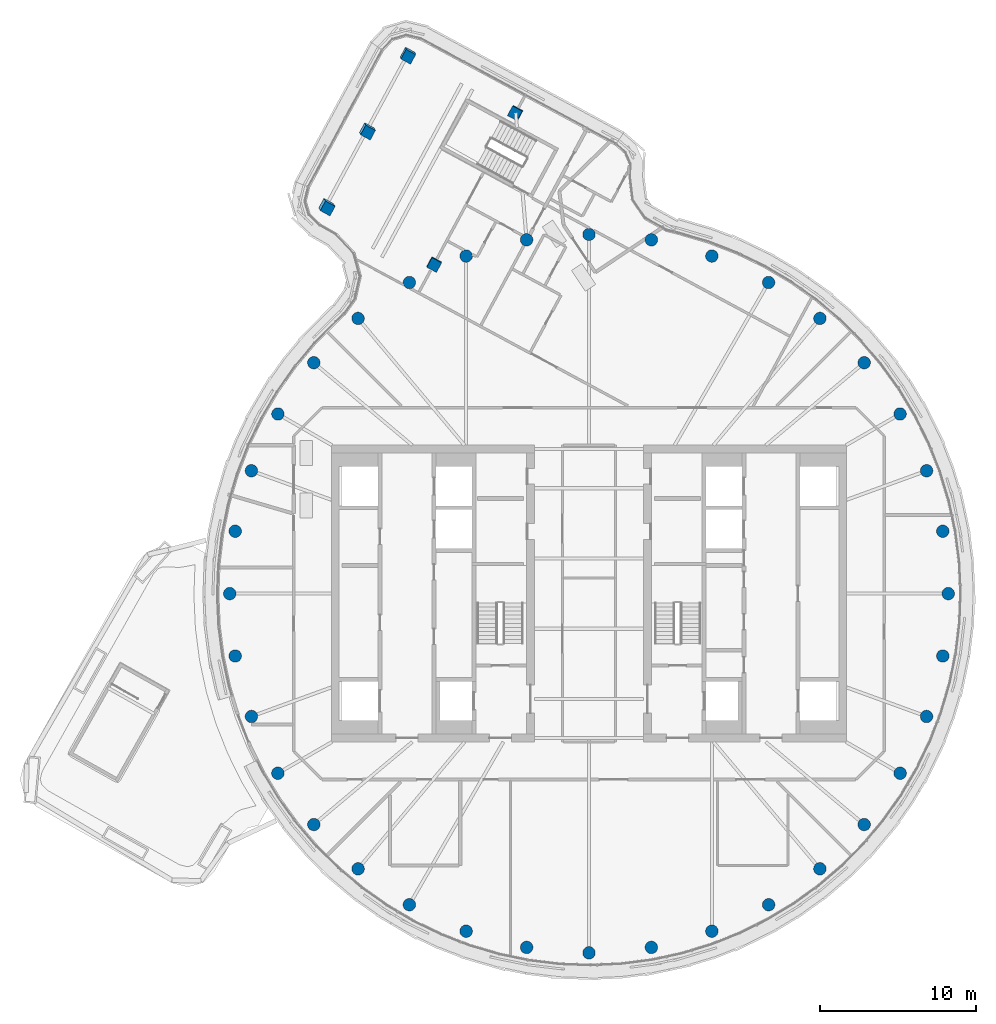
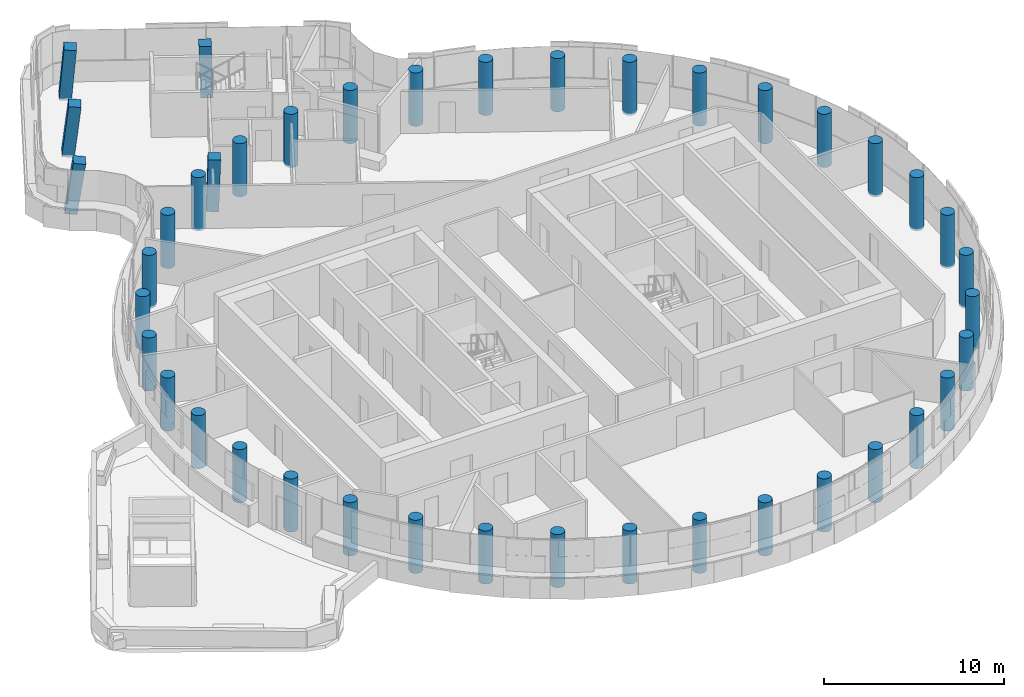
# One storey, part 1 of 22: 41 columns.
"""IFC4 building model written with IfcOpenShell, lengths in metres."""

from ifc_helpers import new_model, si_unit, direction, frame, origin, origin_2d, place, context, subcontext, project, spatial, rectangle, circle, extrude, material, material_profile, profile_set, type_object, element, save


model = new_model("IFC4")

# Units and contexts
model_context = context("Model", 3, precision=1e-05, world=origin(), true_north=direction((0.0, 1.0)))
body_context = subcontext(model_context, "Body", "Model", "MODEL_VIEW")
ifc_project = project(units=[si_unit("LENGTHUNIT", "METRE"), si_unit("AREAUNIT", "SQUARE_METRE"), si_unit("VOLUMEUNIT", "CUBIC_METRE"), si_unit("PLANEANGLEUNIT", "RADIAN"), si_unit("MASSUNIT", "GRAM", prefix="KILO")], contexts=[model_context])

# Site, building, storey
site_placement = place(None, origin())
site = spatial("IfcSite", under=ifc_project, at=site_placement, CompositionType="ELEMENT")
building_placement = place(site_placement, origin())
building = spatial("IfcBuilding", under=site, at=building_placement, Name="Tamarind Cross Interchange Tower", CompositionType="ELEMENT")
storey_placement = place(building_placement, frame((0.0, 0.0, 256.800048828125)))
storey = spatial("IfcBuildingStorey", under=building, at=storey_placement, Name="L65", CompositionType="ELEMENT", Elevation=256.800048828125)

# Columns
ifc_material = material(Name="Concrete C45", Category="concrete")
ifc_material_profile_1 = material_profile(ifc_material, rectangle(XDim=0.699951171875, YDim=0.699951171875, at=origin_2d()), Name="RC 700x700")
ifc_profile_set_1 = profile_set([ifc_material_profile_1], Name="Concrete C45")
column_type_1 = type_object("IfcColumnType", Name="Column RC 700x700 Concrete C45", PredefinedType="COLUMN", material=ifc_profile_set_1)
for number, where, z_axis, x_axis, name in (
    (1, (-9.916259765625, 21.10205078125, -0.13623046875), (0.004951262933, -0.050123059005, 0.998730776512), (0.47590217516, 0.878507663673, 0.041730139536), "Column L65-045"),
    (2, (-4.69189453125, 30.7822265625, -0.13623046875), (-0.044222199127, -0.024145863327, 0.998729880593), (0.879399256357, -0.475293156351, 0.027447466994), "Column L65-046"),
):
    element("IfcColumn", number, at=place(storey_placement, frame(where, z_axis=z_axis, x_axis=x_axis)), inside=storey, type_object=column_type_1, Name=name, PredefinedType="COLUMN", context=body_context, shape_type="SweptSolid", body=[
        extrude(rectangle(XDim=0.699951171875, YDim=0.699951171875, at=origin_2d()), origin(), (0.0, 0.0, 1.0), 3.599609375),
    ])
column_1_placement = place(storey_placement, frame((-11.607177734375, 34.51416015625, -0.134033203125), z_axis=(0.029049931535, -0.106268703033, 0.993913006371), x_axis=(0.47628166474, 0.875672745452, 0.079705826044)))
element("IfcColumn", 3, at=column_1_placement, inside=storey, type_object=column_type_1, Name="Column L65-047", PredefinedType="COLUMN", context=body_context, shape_type="SweptSolid", body=[
    extrude(rectangle(XDim=0.699951171875, YDim=0.699951171875, at=origin_2d()), origin(), (0.0, 0.0, 1.0), 3.61376953125),
])
column_2_placement = place(storey_placement, frame((-14.219482421875, 29.674072265625, -0.13525390625), z_axis=(0.053423491411, -0.118906005473, 0.991467242236), x_axis=(0.477084877161, 0.87527549275, 0.079264315901)))
element("IfcColumn", 4, at=column_2_placement, inside=storey, type_object=column_type_1, Name="Column L65-048", PredefinedType="COLUMN", context=body_context, shape_type="SweptSolid", body=[
    extrude(rectangle(XDim=0.699951171875, YDim=0.699951171875, at=origin_2d()), origin(), (0.0, 0.0, 1.0), 3.6240234375),
])
column_3_placement = place(storey_placement, frame((-16.831787109375, 24.834228515625, -0.136474609375), z_axis=(0.077602513547, -0.131373805374, 0.988290834296), x_axis=(0.477990353093, 0.874827041619, 0.078758298619)))
element("IfcColumn", 5, at=column_3_placement, inside=storey, type_object=column_type_1, Name="Column L65-049", PredefinedType="COLUMN", context=body_context, shape_type="SweptSolid", body=[
    extrude(rectangle(XDim=0.699951171875, YDim=0.699951171875, at=origin_2d()), origin(), (0.0, 0.0, 1.0), 3.63671875),
])
ifc_material_profile_2 = material_profile(ifc_material, circle(Radius=0.39990234375, at=origin_2d()), Name="RC D800")
ifc_profile_set_2 = profile_set([ifc_material_profile_2], Name="Concrete C45")
column_type_2 = type_object("IfcColumnType", Name="Column RC D800 Concrete C45", PredefinedType="COLUMN", material=ifc_profile_set_2)
for number, where, z_axis, x_axis, name in (
    (6, (23.0, 0.0, -0.14013671875), (0.0, 0.0, 1.0), (1.0, 0.0, 0.0), "Column L65-000"),
    (7, (22.650634765625, 3.993896484375, -0.14013671875), (0.0, 0.0, 1.0), (1.0, 0.0, 0.0), "Column L65-001"),
    (8, (21.613037109375, 7.866455078125, -0.14013671875), (0.0, 0.0, 1.0), (1.0, 0.0, 0.0), "Column L65-002"),
    (9, (19.918701171875, 11.5, -0.14013671875), (0.0, 0.0, 1.0), (1.0, 0.0, 0.0), "Column L65-003"),
    (10, (17.619140625, 14.7841796875, -0.14013671875), (0.0, 0.0, 1.0), (1.0, 0.0, 0.0), "Column L65-004"),
    (11, (14.7841796875, 17.619140625, -0.14013671875), (0.0, 0.0, 1.0), (1.0, 0.0, 0.0), "Column L65-005"),
    (12, (11.5, 19.918701171875, -0.14013671875), (0.0, 0.0, 1.0), (1.0, 0.0, 0.0), "Column L65-006"),
    (13, (7.866455078125, 21.613037109375, -0.14013671875), (0.0, 0.0, 1.0), (1.0, 0.0, 0.0), "Column L65-007"),
    (14, (3.993896484375, 22.650634765625, -0.14013671875), (0.0, 0.0, 1.0), (1.0, 0.0, 0.0), "Column L65-008"),
    (15, (0.0, 23.0, -0.14013671875), (0.0, 0.0, 1.0), (1.0, 0.0, 0.0), "Column L65-009"),
    (16, (-3.993896484375, 22.650634765625, -0.14013671875), (0.0, 0.0, 1.0), (1.0, 0.0, 0.0), "Column L65-010"),
    (17, (-7.866455078125, 21.613037109375, -0.14013671875), (0.0, 0.0, 1.0), (1.0, 0.0, 0.0), "Column L65-011"),
    (18, (-11.5, 19.918701171875, -0.14013671875), (0.0, 0.0, 1.0), (1.0, 0.0, 0.0), "Column L65-012"),
    (19, (-14.7841796875, 17.619140625, -0.14013671875), (0.0, 0.0, 1.0), (1.0, 0.0, 0.0), "Column L65-013"),
    (20, (-17.619140625, 14.7841796875, -0.14013671875), (0.0, 0.0, 1.0), (1.0, 0.0, 0.0), "Column L65-014"),
    (21, (-19.918701171875, 11.5, -0.14013671875), (0.0, 0.0, 1.0), (1.0, 0.0, 0.0), "Column L65-015"),
    (22, (-21.613037109375, 7.866455078125, -0.14013671875), (0.0, 0.0, 1.0), (1.0, 0.0, 0.0), "Column L65-016"),
    (23, (-22.650634765625, 3.993896484375, -0.14013671875), (0.0, 0.0, 1.0), (1.0, 0.0, 0.0), "Column L65-017"),
    (24, (-23.0, 0.0, -0.14013671875), (0.0, 0.0, 1.0), (1.0, 0.0, 0.0), "Column L65-018"),
    (25, (-22.650634765625, -3.993896484375, -0.14013671875), (0.0, 0.0, 1.0), (1.0, 0.0, 0.0), "Column L65-019"),
    (26, (-21.613037109375, -7.866455078125, -0.14013671875), (0.0, 0.0, 1.0), (1.0, 0.0, 0.0), "Column L65-020"),
    (27, (-19.918701171875, -11.5, -0.14013671875), (0.0, 0.0, 1.0), (1.0, 0.0, 0.0), "Column L65-021"),
    (28, (-17.619140625, -14.7841796875, -0.14013671875), (0.0, 0.0, 1.0), (1.0, 0.0, 0.0), "Column L65-022"),
    (29, (-14.7841796875, -17.619140625, -0.14013671875), (0.0, 0.0, 1.0), (1.0, 0.0, 0.0), "Column L65-023"),
    (30, (-11.5, -19.918701171875, -0.14013671875), (0.0, 0.0, 1.0), (1.0, 0.0, 0.0), "Column L65-024"),
    (31, (-7.866455078125, -21.613037109375, -0.14013671875), (0.0, 0.0, 1.0), (1.0, 0.0, 0.0), "Column L65-025"),
    (32, (-3.993896484375, -22.650634765625, -0.14013671875), (0.0, 0.0, 1.0), (1.0, 0.0, 0.0), "Column L65-026"),
    (33, (0.0, -23.0, -0.14013671875), (0.0, 0.0, 1.0), (1.0, 0.0, 0.0), "Column L65-027"),
    (34, (3.993896484375, -22.650634765625, -0.14013671875), (0.0, 0.0, 1.0), (1.0, 0.0, 0.0), "Column L65-028"),
    (35, (7.866455078125, -21.613037109375, -0.14013671875), (0.0, 0.0, 1.0), (1.0, 0.0, 0.0), "Column L65-029"),
    (36, (11.5, -19.918701171875, -0.14013671875), (0.0, 0.0, 1.0), (1.0, 0.0, 0.0), "Column L65-030"),
    (37, (14.7841796875, -17.619140625, -0.14013671875), (0.0, 0.0, 1.0), (1.0, 0.0, 0.0), "Column L65-031"),
    (38, (17.619140625, -14.7841796875, -0.14013671875), (0.0, 0.0, 1.0), (1.0, 0.0, 0.0), "Column L65-032"),
    (39, (19.918701171875, -11.5, -0.14013671875), (0.0, 0.0, 1.0), (1.0, 0.0, 0.0), "Column L65-033"),
    (40, (21.613037109375, -7.866455078125, -0.14013671875), (0.0, 0.0, 1.0), (1.0, 0.0, 0.0), "Column L65-034"),
    (41, (22.650634765625, -3.993896484375, -0.14013671875), (0.0, 0.0, 1.0), (1.0, 0.0, 0.0), "Column L65-035"),
):
    element("IfcColumn", number, at=place(storey_placement, frame(where, z_axis=z_axis, x_axis=x_axis)), inside=storey, type_object=column_type_2, Name=name, PredefinedType="COLUMN", context=body_context, shape_type="SweptSolid", body=[
        extrude(circle(Radius=0.39990234375, at=origin_2d()), origin(), (0.0, 0.0, 1.0), 3.60009765625),
    ])

save(model, "model.ifc")
